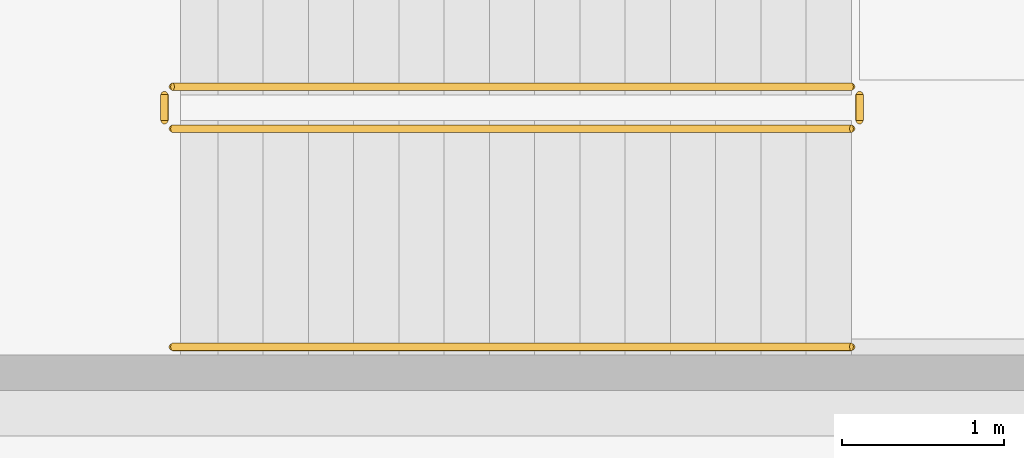
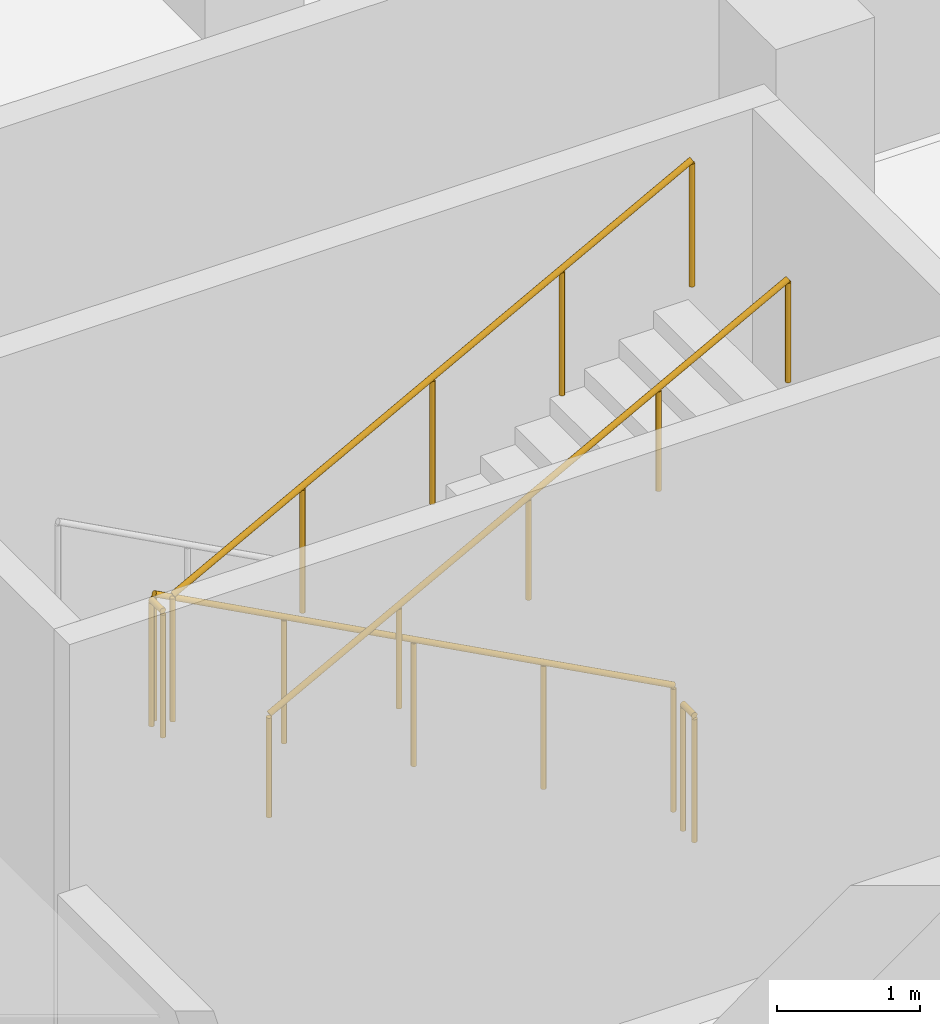
# One storey, part 8 of 10: 5 railings.
"""IFC4 building model written with IfcOpenShell, lengths in metres."""

from ifc_helpers import new_model, si_unit, direction, frame, origin, origin_2d, place, context, subcontext, project, spatial, circle, extrude, material, layer, layer_set, type_object, element, save


model = new_model("IFC4")

# Units and contexts
model_context = context("Model", 3, precision=1e-05, world=origin(), true_north=direction((0.0, 1.0)))
body_context = subcontext(model_context, "Body", "Model", "MODEL_VIEW")
ifc_project = project(units=[si_unit("LENGTHUNIT", "METRE"), si_unit("AREAUNIT", "SQUARE_METRE"), si_unit("VOLUMEUNIT", "CUBIC_METRE"), si_unit("PLANEANGLEUNIT", "RADIAN"), si_unit("MASSUNIT", "GRAM", prefix="KILO")], contexts=[model_context])

# Site, building, storey
site_placement = place(None, origin())
site = spatial("IfcSite", under=ifc_project, at=site_placement, CompositionType="ELEMENT")
building_placement = place(site_placement, origin())
building = spatial("IfcBuilding", under=site, at=building_placement, Name="Serraforn Aerial Cableway Station", CompositionType="ELEMENT")
storey_placement = place(building_placement, frame((0.0, 0.0, -4.800048828125)))
storey = spatial("IfcBuildingStorey", under=building, at=storey_placement, Name="B1", CompositionType="ELEMENT", Elevation=-4.800048828125)

# Railings
ifc_material_1 = material(Name="Patinated bronze stair guardrail")
ifc_layer_1 = layer(ifc_material_1, 0.050048828125)
ifc_layer_set_1 = layer_set([ifc_layer_1], Name="Patinated bronze stair guardrail")
railing_type_1 = type_object("IfcRailingType", Name="RL-STR-GRD", PredefinedType="GUARDRAIL", material=ifc_layer_set_1)
railing_1_placement = place(storey_placement, frame((70.25, 23.659912109375, 0.150146484375)))
element("IfcRailing", 1, at=railing_1_placement, inside=storey, type_object=railing_type_1, Name="B1 ST-05 stair guard 1", PredefinedType="GUARDRAIL", context=body_context, shape_type="SweptSolid", body=[
    extrude(circle(Radius=0.02392578125, at=origin_2d()), frame((0.0, 0.0, 1.076171875), z_axis=(-0.881477684796, 0.0, 0.472225678258), x_axis=(0.0, -1.0, 0.0)), (0.0, 0.0, 1.0), 4.7646484375),
    extrude(circle(Radius=0.02099609375, at=origin_2d()), origin(), (0.0, 0.0, 1.0), 1.052001953125),
    extrude(circle(Radius=0.02099609375, at=origin_2d()), frame((-1.050048828125, 0.0, 0.5625)), (0.0, 0.0, 1.0), 1.052001953125),
    extrude(circle(Radius=0.02099609375, at=origin_2d()), frame((-2.10009765625, 0.0, 1.125)), (0.0, 0.0, 1.0), 1.052001953125),
    extrude(circle(Radius=0.02099609375, at=origin_2d()), frame((-3.14990234375, 0.0, 1.6875)), (0.0, 0.0, 1.0), 1.052001953125),
    extrude(circle(Radius=0.02099609375, at=origin_2d()), frame((-4.199951171875, 0.0, 2.25)), (0.0, 0.0, 1.0), 1.052001953125),
])
railing_2_placement = place(storey_placement, frame((66.0, 23.610107421875, 2.400146484375)))
element("IfcRailing", 2, at=railing_2_placement, inside=storey, type_object=railing_type_1, Name="B1 ST-05 stair guard 2", PredefinedType="GUARDRAIL", context=body_context, shape_type="SweptSolid", body=[
    extrude(circle(Radius=0.02392578125, at=origin_2d()), frame((0.0, 0.0, 1.076171875), z_axis=(0.0, -1.0, 0.0), x_axis=(1.0, 0.0, 0.0)), (0.0, 0.0, 1.0), 0.16015625),
    extrude(circle(Radius=0.02099609375, at=origin_2d()), origin(), (0.0, 0.0, 1.0), 1.052001953125),
    extrude(circle(Radius=0.02099609375, at=origin_2d()), frame((0.0, -0.16015625, 0.0)), (0.0, 0.0, 1.0), 1.052001953125),
])
railing_3_placement = place(storey_placement, frame((66.050048828125, 23.39990234375, 2.550048828125)))
element("IfcRailing", 3, at=railing_3_placement, inside=storey, type_object=railing_type_1, Name="B1 ST-05 stair guard 3", PredefinedType="GUARDRAIL", context=body_context, shape_type="SweptSolid", body=[
    extrude(circle(Radius=0.02392578125, at=origin_2d()), frame((0.0, 0.0, 1.076171875), z_axis=(0.881477684796, 0.0, 0.472225678258), x_axis=(0.0, 1.0, 0.0)), (0.0, 0.0, 1.0), 4.7646484375),
    extrude(circle(Radius=0.02099609375, at=origin_2d()), origin(), (0.0, 0.0, 1.0), 1.052001953125),
    extrude(circle(Radius=0.02099609375, at=origin_2d()), frame((1.050048828125, 0.0, 0.5625)), (0.0, 0.0, 1.0), 1.052001953125),
    extrude(circle(Radius=0.02099609375, at=origin_2d()), frame((2.10009765625, 0.0, 1.125)), (0.0, 0.0, 1.0), 1.052001953125),
    extrude(circle(Radius=0.02099609375, at=origin_2d()), frame((3.14990234375, 0.0, 1.6875)), (0.0, 0.0, 1.0), 1.052001953125),
    extrude(circle(Radius=0.02099609375, at=origin_2d()), frame((4.199951171875, 0.0, 2.25)), (0.0, 0.0, 1.0), 1.052001953125),
])
railing_4_placement = place(storey_placement, frame((70.300048828125, 23.610107421875, 0.0)))
element("IfcRailing", 4, at=railing_4_placement, inside=storey, type_object=railing_type_1, Name="B1 ST-05 stair guard 4", PredefinedType="GUARDRAIL", context=body_context, shape_type="SweptSolid", body=[
    extrude(circle(Radius=0.02392578125, at=origin_2d()), frame((0.0, 0.0, 1.076171875), z_axis=(0.0, -1.0, 0.0), x_axis=(1.0, 0.0, 0.0)), (0.0, 0.0, 1.0), 0.16015625),
    extrude(circle(Radius=0.02099609375, at=origin_2d()), origin(), (0.0, 0.0, 1.0), 1.052001953125),
    extrude(circle(Radius=0.02099609375, at=origin_2d()), frame((0.0, -0.16015625, 0.0)), (0.0, 0.0, 1.0), 1.052001953125),
])
ifc_material_2 = material(Name="Brushed bronze tubular handrail")
ifc_layer_2 = layer(ifc_material_2, 0.048095703125)
ifc_layer_set_2 = layer_set([ifc_layer_2], Name="Brushed bronze tubular handrail")
railing_type_2 = type_object("IfcRailingType", Name="RL-STR-HDR", PredefinedType="HANDRAIL", material=ifc_layer_set_2)
railing_5_placement = place(storey_placement, frame((66.050048828125, 22.050048828125, 2.550048828125)))
element("IfcRailing", 5, at=railing_5_placement, inside=storey, type_object=railing_type_2, Name="B1 ST-05 stair handrail 2", PredefinedType="HANDRAIL", context=body_context, shape_type="SweptSolid", body=[
    extrude(circle(Radius=0.02392578125, at=origin_2d()), frame((0.0, 0.0, 0.8759765625), z_axis=(0.881477684796, 0.0, 0.472225678258), x_axis=(0.0, 1.0, 0.0)), (0.0, 0.0, 1.0), 4.7646484375),
    extrude(circle(Radius=0.02099609375, at=origin_2d()), origin(), (0.0, 0.0, 1.0), 0.851806640625),
    extrude(circle(Radius=0.02099609375, at=origin_2d()), frame((1.050048828125, 0.0, 0.5625)), (0.0, 0.0, 1.0), 0.851806640625),
    extrude(circle(Radius=0.02099609375, at=origin_2d()), frame((2.10009765625, 0.0, 1.125)), (0.0, 0.0, 1.0), 0.851806640625),
    extrude(circle(Radius=0.02099609375, at=origin_2d()), frame((3.14990234375, 0.0, 1.6875)), (0.0, 0.0, 1.0), 0.851806640625),
    extrude(circle(Radius=0.02099609375, at=origin_2d()), frame((4.199951171875, 0.0, 2.25)), (0.0, 0.0, 1.0), 0.851806640625),
])

save(model, "model.ifc")
